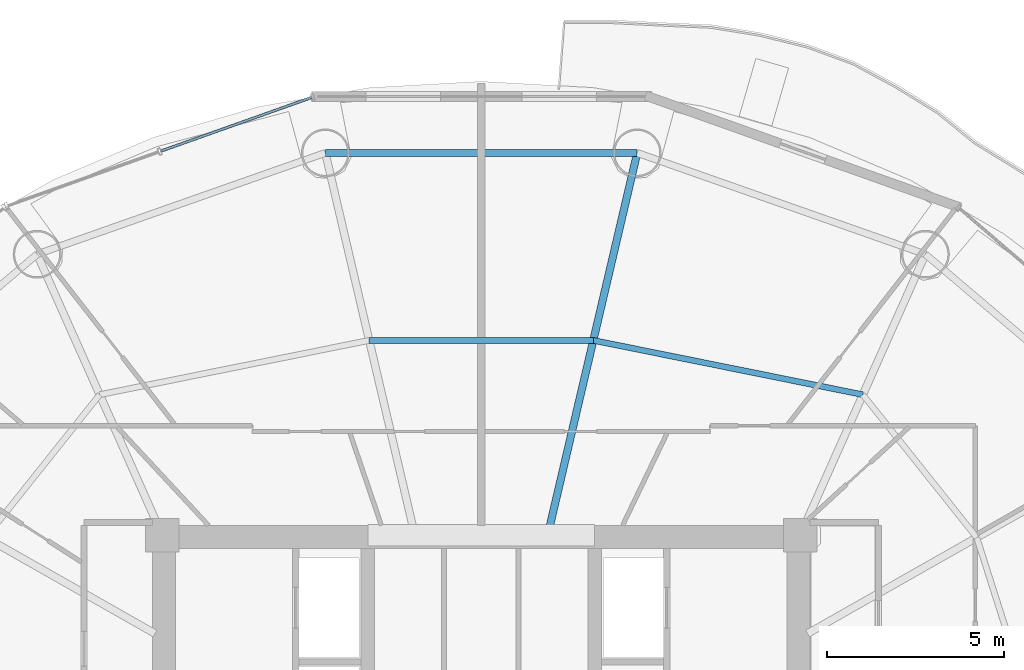
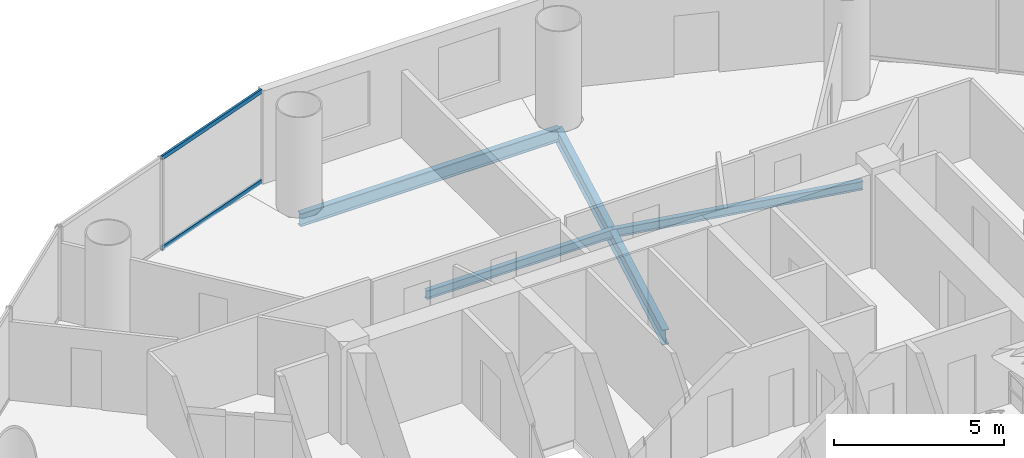
# One storey, part 16 of 27: 4 beams, 2 members, 1 element without a shape of its own.
"""IFC4 building model written with IfcOpenShell, lengths in metres."""

from ifc_helpers import new_model, si_unit, direction, frame, origin, origin_2d, place, context, subcontext, project, spatial, hollow_rectangle, i_section, extrude, source, transform, mapped, material, material_profile, profile_set, type_object, element, aggregate, save


model = new_model("IFC4")

# Units and contexts
model_context = context("Model", 3, precision=1e-05, world=origin(), true_north=direction((-0.2419218956, 0.970295726276)))
body_context = subcontext(model_context, "Body", "Model", "MODEL_VIEW")
ifc_project = project(units=[si_unit("LENGTHUNIT", "METRE"), si_unit("AREAUNIT", "SQUARE_METRE"), si_unit("VOLUMEUNIT", "CUBIC_METRE"), si_unit("PLANEANGLEUNIT", "RADIAN"), si_unit("MASSUNIT", "GRAM", prefix="KILO")], contexts=[model_context])

# Site, building, storey
site_placement = place(None, origin())
site = spatial("IfcSite", under=ifc_project, at=site_placement, CompositionType="ELEMENT")
building_placement = place(site_placement, origin())
building = spatial("IfcBuilding", under=site, at=building_placement, Name="Cobrevalo Terracotta Tower", CompositionType="ELEMENT")
storey_placement = place(building_placement, frame((0.0, 0.0, 146.199951171875)))
storey = spatial("IfcBuildingStorey", under=building, at=storey_placement, Name="L38", CompositionType="ELEMENT", Elevation=146.199951171875)

# Beams
ifc_material_1 = material(Name="Steel S355", Category="steel")
ifc_material_profile_1 = material_profile(ifc_material_1, i_section(OverallWidth=0.2109375, OverallDepth=0.5390625, WebThickness=0.01171875, FlangeThickness=0.018798828125, at=origin_2d()), Name="W 530x109")
ifc_profile_set_1 = profile_set([ifc_material_profile_1], Name="Steel S355")
beam_type_1 = type_object("IfcBeamType", Name="Structural Beam W 530x109 (Steel S355)", PredefinedType="BEAM", material=ifc_profile_set_1)
beam_1_placement = place(storey_placement, frame((42.399169921875, 45.58203125, -0.53955078125), z_axis=(-0.228040864186, -0.973651562039, 0.0), x_axis=(0.973651562039, -0.228040864186, 0.0)))
element("IfcBeam", 1, at=beam_1_placement, inside=storey, type_object=beam_type_1, Name="L38 radial floor girder 04", PredefinedType="BEAM", context=body_context, shape_type="SweptSolid", body=[
    extrude(i_section(OverallWidth=0.2109375, OverallDepth=0.5390625, WebThickness=0.01171875, FlangeThickness=0.018798828125, at=origin_2d()), origin(), (0.0, 0.0, 1.0), 10.86328125),
])
ifc_material_profile_2 = material_profile(ifc_material_1, i_section(OverallWidth=0.1650390625, OverallDepth=0.31005859375, WebThickness=0.005859375, FlangeThickness=0.009765625, at=origin_2d()), Name="W 310x38.7")
ifc_profile_set_2 = profile_set([ifc_material_profile_2], Name="Steel S355")
beam_type_2 = type_object("IfcBeamType", Name="Structural Joist W 310x38.7 (Steel S355)", PredefinedType="JOIST", material=ifc_profile_set_2)
beam_2_placement = place(storey_placement, frame((48.76416015625, 38.76123046875, -0.425048828125), z_axis=(-0.980293928329, 0.197544461026, 0.0), x_axis=(-0.197544461026, -0.980293928329, 0.0)))
element("IfcBeam", 2, at=beam_2_placement, inside=storey, type_object=beam_type_2, Name="L38 circumferential secondary floor joist 03", PredefinedType="JOIST", context=body_context, shape_type="SweptSolid", body=[
    extrude(i_section(OverallWidth=0.1650390625, OverallDepth=0.31005859375, WebThickness=0.005859375, FlangeThickness=0.009765625, at=origin_2d()), origin(), (0.0, 0.0, 1.0), 7.75634765625),
])
beam_3_placement = place(storey_placement, frame((41.16064453125, 40.29345703125, -0.425048828125), z_axis=(-1.0, 0.0, 0.0), x_axis=(0.0, -1.0, 0.0)))
element("IfcBeam", 3, at=beam_3_placement, inside=storey, type_object=beam_type_2, Name="L38 circumferential secondary floor joist 04", PredefinedType="JOIST", context=body_context, shape_type="SweptSolid", body=[
    extrude(i_section(OverallWidth=0.1650390625, OverallDepth=0.31005859375, WebThickness=0.005859375, FlangeThickness=0.009765625, at=origin_2d()), origin(), (0.0, 0.0, 1.0), 6.3212890625),
])
ifc_material_profile_3 = material_profile(ifc_material_1, i_section(OverallWidth=0.194091796875, OverallDepth=0.468994140625, WebThickness=0.011474609375, FlangeThickness=0.0205078125, at=origin_2d()), Name="W 460x106")
ifc_profile_set_3 = profile_set([ifc_material_profile_3], Name="Steel S355")
beam_type_3 = type_object("IfcBeamType", Name="Structural Spandrel W 460x106 (Steel S355)", PredefinedType="SPANDREL", material=ifc_profile_set_3)
beam_4_placement = place(storey_placement, frame((42.399169921875, 45.58203125, -0.50439453125), z_axis=(-1.0, 0.0, 0.0), x_axis=(0.0, -1.0, 0.0)))
element("IfcBeam", 4, at=beam_4_placement, inside=storey, type_object=beam_type_3, Name="L38 perimeter ring spandrel 04", PredefinedType="SPANDREL", context=body_context, shape_type="SweptSolid", body=[
    extrude(i_section(OverallWidth=0.194091796875, OverallDepth=0.468994140625, WebThickness=0.011474609375, FlangeThickness=0.0205078125, at=origin_2d()), origin(), (0.0, 0.0, 1.0), 8.79833984375),
])

# Curtain wall, members
ifc_material_2 = material(Name="Anodized aluminium", Category="aluminium")
curtain_wall_type = type_object("IfcCurtainWallType", Name="Mid-tower high-wind unitised curtain wall CW-U2", PredefinedType="NOTDEFINED", material=ifc_material_2)
curtain_wall_placement = place(storey_placement, origin())
curtain_wall = element("IfcCurtainWall", 5, at=curtain_wall_placement, inside=storey, type_object=curtain_wall_type, Name="L38 curtain wall CW-L38-S05", PredefinedType="NOTDEFINED")
ifc_material_profile_4 = material_profile(ifc_material_2, hollow_rectangle(XDim=0.074951171875, YDim=0.14990234375, WallThickness=0.00439453125, at=origin_2d()), Name="CWT 75x150")
ifc_profile_set_4 = profile_set([ifc_material_profile_4], Name="Anodized aluminium")
member_type = type_object("IfcMemberType", Name="Tower unitised aluminium transom 75x150", PredefinedType="USERDEFINED", material=ifc_profile_set_4)
shared_shape = source(origin(), body_context, "Body", "SweptSolid", [
    extrude(hollow_rectangle(XDim=0.074951171875, YDim=0.14990234375, WallThickness=0.00439453125, at=origin_2d()), origin(), (0.0, 0.0, 1.0), 4.50390625),
])
member_1_placement = place(storey_placement, frame((33.209228515625, 47.14404296875, 0.050048828125), z_axis=(-0.94210437316, -0.335319772863, 0.0), x_axis=(0.335319772863, -0.94210437316, 0.0)))
member_1 = element("IfcMember", 6, at=member_1_placement, type_object=member_type, Name="CW-L38-S05 transom B01-T1", ObjectType="TRANSOM", PredefinedType="USERDEFINED", context=body_context, shape_type="MappedRepresentation", body=[
    mapped(shared_shape, transform((0.0, 0.0, 0.0), scale=1.0)),
])
member_2_placement = place(storey_placement, frame((33.209228515625, 47.14404296875, 3.280029296875), z_axis=(-0.94210437316, -0.335319772863, 0.0), x_axis=(0.335319772863, -0.94210437316, 0.0)))
member_2 = element("IfcMember", 7, at=member_2_placement, type_object=member_type, Name="CW-L38-S05 transom B01-T2", ObjectType="TRANSOM", PredefinedType="USERDEFINED", context=body_context, shape_type="MappedRepresentation", body=[
    mapped(shared_shape, transform((0.0, 0.0, 0.0), scale=1.0)),
])
aggregate(curtain_wall, [member_1, member_2])

save(model, "model.ifc")
